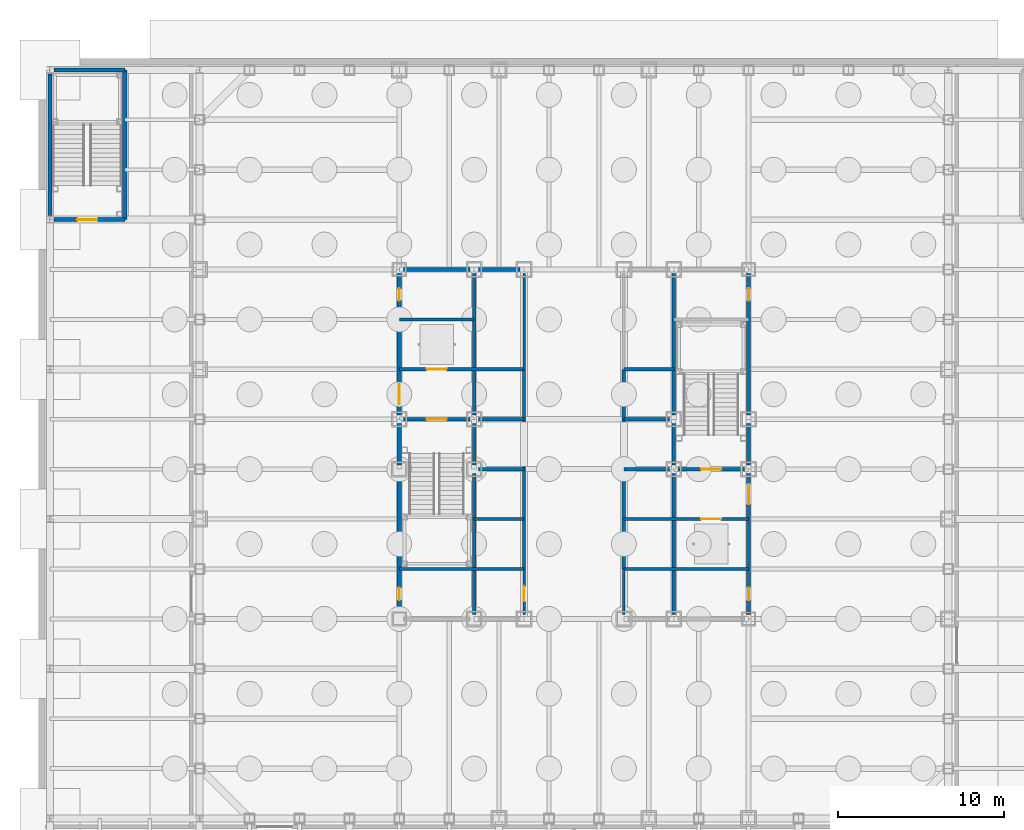
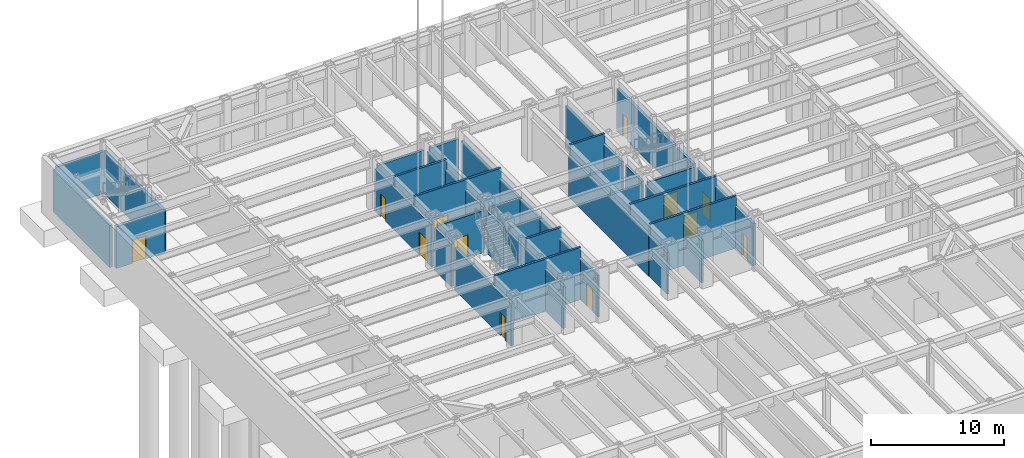
# One storey, part 7 of 18: 36 walls, 12 doors, 12 openings.
"""IFC4 building model written with IfcOpenShell, lengths in metres."""

from ifc_helpers import new_model, si_unit, direction, frame, frame_2d, origin, place, context, subcontext, project, spatial, rectangle, extrude, material, layer, layer_set, type_object, element, fill, save


model = new_model("IFC4")

# Units and contexts
model_context = context("Model", 3, precision=1e-05, world=origin(), true_north=direction((0.0, 1.0)))
body_context = subcontext(model_context, "Body", "Model", "MODEL_VIEW")
ifc_project = project(units=[si_unit("LENGTHUNIT", "METRE"), si_unit("AREAUNIT", "SQUARE_METRE"), si_unit("VOLUMEUNIT", "CUBIC_METRE"), si_unit("PLANEANGLEUNIT", "RADIAN"), si_unit("MASSUNIT", "GRAM", prefix="KILO")], contexts=[model_context])

# Site, building, storey
site_placement = place(None, origin())
site = spatial("IfcSite", under=ifc_project, at=site_placement, CompositionType="ELEMENT")
building_placement = place(site_placement, origin())
building = spatial("IfcBuilding", under=site, at=building_placement, Name="Chuquiago Exchange Tower", CompositionType="ELEMENT")
storey_placement = place(building_placement, frame((0.0, 0.0, -5.0)))
storey = spatial("IfcBuildingStorey", under=building, at=storey_placement, Name="B1", CompositionType="ELEMENT", Elevation=-5.0)

# Wall, opening, door
ifc_material_1 = material(Name="Concrete masonry, fully grouted", Category="masonry")
ifc_layer_1 = layer(ifc_material_1, 0.25)
ifc_layer_set_1 = layer_set([ifc_layer_1], Name="W1 core wall 250")
wall_type_1 = type_object("IfcWallType", Name="W1 core wall 250", PredefinedType="SOLIDWALL", material=ifc_layer_set_1)
wall_1_placement = place(storey_placement, frame((12.0, 12.25, 0.0), z_axis=(0.0, 0.0, 1.0), x_axis=(0.0, 1.0, 0.0)))
wall_1 = element("IfcWall", 1, at=wall_1_placement, inside=storey, type_object=wall_type_1, Name="CW-B1-00-0", PredefinedType="SOLIDWALL", context=body_context, shape_type="SweptSolid", body=[
    extrude(rectangle(XDim=8.5, YDim=0.25, at=frame_2d((4.25, 0.0))), origin(), (0.0, 0.0, 1.0), 3.872802734375),
])
opening_1_placement = place(wall_1_placement, frame((0.875, 0.0, 0.0)))
opening_1 = element("IfcOpeningElement", 2, at=opening_1_placement, cuts=wall_1, Name="Opening B1-007", PredefinedType="OPENING", context=body_context, shape_type="SweptSolid", body=[
    extrude(rectangle(XDim=0.75, YDim=2.10009765625, at=frame_2d((0.375, 1.050048828125))), frame((0.0, 0.135009765625, 0.0), z_axis=(0.0, -1.0, 0.0), x_axis=(1.0, 0.0, 0.0)), (0.0, 0.0, 1.0), 0.27001953125),
])
ifc_material_2 = material(Name="Steel door, painted", Category="steel")
door_type_1 = type_object("IfcDoorType", Name="D6 riser access door 750x2100", OperationType="SINGLE_SWING_LEFT", PredefinedType="DOOR", material=ifc_material_2)
door_1_placement = place(opening_1_placement, origin())
door_1 = element("IfcDoor", 3, at=door_1_placement, inside=storey, type_object=door_type_1, Name="Riser RW1 door", OperationType="SINGLE_SWING_LEFT", OverallHeight=2.10009765625, OverallWidth=0.75, PredefinedType="DOOR", context=body_context, shape_type="SweptSolid", body=[
    extrude(rectangle(XDim=0.75, YDim=2.10009765625, at=frame_2d((0.375, 1.050048828125))), frame((0.0, 0.02490234375, 0.0), z_axis=(0.0, -1.0, 0.0), x_axis=(1.0, 0.0, 0.0)), (0.0, 0.0, 1.0), 0.050048828125),
])
fill(opening_1, door_1)

# Wall
wall_2_placement = place(storey_placement, frame((12.0, 21.25, 0.0), z_axis=(0.0, 0.0, 1.0), x_axis=(0.0, 1.0, 0.0)))
element("IfcWall", 4, at=wall_2_placement, inside=storey, type_object=wall_type_1, Name="CW-B1-00-1", PredefinedType="SOLIDWALL", context=body_context, shape_type="SweptSolid", body=[
    extrude(rectangle(XDim=2.5, YDim=0.25, at=frame_2d((1.25, 0.0))), origin(), (0.0, 0.0, 1.0), 3.872802734375),
])

# Wall, openings, doors
wall_3_placement = place(storey_placement, frame((12.0, 24.25, 0.0), z_axis=(0.0, 0.0, 1.0), x_axis=(0.0, 1.0, 0.0)))
wall_3 = element("IfcWall", 5, at=wall_3_placement, inside=storey, type_object=wall_type_1, Name="CW-B1-00-2", PredefinedType="SOLIDWALL", context=body_context, shape_type="SweptSolid", body=[
    extrude(rectangle(XDim=8.5, YDim=0.25, at=frame_2d((4.25, 0.0))), origin(), (0.0, 0.0, 1.0), 3.872802734375),
])
opening_2_placement = place(wall_3_placement, frame((0.64990234375, 0.0, 0.0)))
opening_2 = element("IfcOpeningElement", 6, at=opening_2_placement, cuts=wall_3, Name="Opening B1-002", PredefinedType="OPENING", context=body_context, shape_type="SweptSolid", body=[
    extrude(rectangle(XDim=1.199951171875, YDim=2.10009765625, at=frame_2d((0.60009765625, 1.050048828125))), frame((0.0, 0.135009765625, 0.0), z_axis=(0.0, -1.0, 0.0), x_axis=(1.0, 0.0, 0.0)), (0.0, 0.0, 1.0), 0.27001953125),
])
opening_3_placement = place(wall_3_placement, frame((6.875, 0.0, 0.0)))
opening_3 = element("IfcOpeningElement", 7, at=opening_3_placement, cuts=wall_3, Name="Opening B1-008", PredefinedType="OPENING", context=body_context, shape_type="SweptSolid", body=[
    extrude(rectangle(XDim=0.75, YDim=2.10009765625, at=frame_2d((0.375, 1.050048828125))), frame((0.0, 0.135009765625, 0.0), z_axis=(0.0, -1.0, 0.0), x_axis=(1.0, 0.0, 0.0)), (0.0, 0.0, 1.0), 0.27001953125),
])
ifc_material_3 = material(Name="Steel door, painted", Category="steel")
door_type_2 = type_object("IfcDoorType", Name="D5 firefighting lobby door 1200x2100", OperationType="SINGLE_SWING_LEFT", PredefinedType="DOOR", material=ifc_material_3)
door_2_placement = place(opening_2_placement, frame((1.199951171875, 0.0, 0.0), z_axis=(0.0, 0.0, 1.0), x_axis=(-1.0, 0.0, 0.0)))
door_2 = element("IfcDoor", 8, at=door_2_placement, inside=storey, type_object=door_type_2, Name="Firefighting lobby 1 door", OperationType="SINGLE_SWING_RIGHT", OverallHeight=2.10009765625, OverallWidth=1.199951171875, PredefinedType="DOOR", context=body_context, shape_type="SweptSolid", body=[
    extrude(rectangle(XDim=1.199951171875, YDim=2.10009765625, at=frame_2d((0.60009765625, 1.050048828125))), frame((0.0, 0.02490234375, 0.0), z_axis=(0.0, -1.0, 0.0), x_axis=(1.0, 0.0, 0.0)), (0.0, 0.0, 1.0), 0.050048828125),
])
fill(opening_2, door_2)
door_3_placement = place(opening_3_placement, origin())
door_3 = element("IfcDoor", 9, at=door_3_placement, inside=storey, type_object=door_type_1, Name="Riser RW2 door", OperationType="SINGLE_SWING_RIGHT", OverallHeight=2.10009765625, OverallWidth=0.75, PredefinedType="DOOR", context=body_context, shape_type="SweptSolid", body=[
    extrude(rectangle(XDim=0.75, YDim=2.10009765625, at=frame_2d((0.375, 1.050048828125))), frame((0.0, 0.02490234375, 0.0), z_axis=(0.0, -1.0, 0.0), x_axis=(1.0, 0.0, 0.0)), (0.0, 0.0, 1.0), 0.050048828125),
])
fill(opening_3, door_3)

# Walls
wall_4_placement = place(storey_placement, frame((12.25, 33.0, 0.0), z_axis=(0.0, 0.0, 1.0), x_axis=(1.0, 0.0, 0.0)))
element("IfcWall", 10, at=wall_4_placement, inside=storey, type_object=wall_type_1, Name="CW-B1-11-0", PredefinedType="SOLIDWALL", context=body_context, shape_type="SweptSolid", body=[
    extrude(rectangle(XDim=4.0, YDim=0.25, at=frame_2d((2.0, 0.0))), origin(), (0.0, 0.0, 1.0), 3.94140625),
])
wall_5_placement = place(storey_placement, frame((16.75, 33.0, 0.0), z_axis=(0.0, 0.0, 1.0), x_axis=(1.0, 0.0, 0.0)))
element("IfcWall", 11, at=wall_5_placement, inside=storey, type_object=wall_type_1, Name="CW-B1-11-1", PredefinedType="SOLIDWALL", context=body_context, shape_type="SweptSolid", body=[
    extrude(rectangle(XDim=2.5, YDim=0.25, at=frame_2d((1.25, 0.0))), origin(), (0.0, 0.0, 1.0), 3.94140625),
])

# Wall, openings, doors
wall_6_placement = place(storey_placement, frame((33.0, 12.25, 0.0), z_axis=(0.0, 0.0, 1.0), x_axis=(0.0, 1.0, 0.0)))
wall_6 = element("IfcWall", 12, at=wall_6_placement, inside=storey, type_object=wall_type_1, Name="CW-B1-25-0", PredefinedType="SOLIDWALL", context=body_context, shape_type="SweptSolid", body=[
    extrude(rectangle(XDim=8.5, YDim=0.25, at=frame_2d((4.25, 0.0))), origin(), (0.0, 0.0, 1.0), 3.872802734375),
])
opening_4_placement = place(wall_6_placement, frame((6.64990234375, 0.0, 0.0)))
opening_4 = element("IfcOpeningElement", 13, at=opening_4_placement, cuts=wall_6, Name="Opening B1-004", PredefinedType="OPENING", context=body_context, shape_type="SweptSolid", body=[
    extrude(rectangle(XDim=1.199951171875, YDim=2.10009765625, at=frame_2d((0.60009765625, 1.050048828125))), frame((0.0, 0.135009765625, 0.0), z_axis=(0.0, -1.0, 0.0), x_axis=(1.0, 0.0, 0.0)), (0.0, 0.0, 1.0), 0.27001953125),
])
opening_5_placement = place(wall_6_placement, frame((0.875, 0.0, 0.0)))
opening_5 = element("IfcOpeningElement", 14, at=opening_5_placement, cuts=wall_6, Name="Opening B1-009", PredefinedType="OPENING", context=body_context, shape_type="SweptSolid", body=[
    extrude(rectangle(XDim=0.75, YDim=2.10009765625, at=frame_2d((0.375, 1.050048828125))), frame((0.0, 0.135009765625, 0.0), z_axis=(0.0, -1.0, 0.0), x_axis=(1.0, 0.0, 0.0)), (0.0, 0.0, 1.0), 0.27001953125),
])
door_4_placement = place(opening_4_placement, origin())
door_4 = element("IfcDoor", 15, at=door_4_placement, inside=storey, type_object=door_type_2, Name="Firefighting lobby 2 door", OperationType="SINGLE_SWING_RIGHT", OverallHeight=2.10009765625, OverallWidth=1.199951171875, PredefinedType="DOOR", context=body_context, shape_type="SweptSolid", body=[
    extrude(rectangle(XDim=1.199951171875, YDim=2.10009765625, at=frame_2d((0.60009765625, 1.050048828125))), frame((0.0, 0.02490234375, 0.0), z_axis=(0.0, -1.0, 0.0), x_axis=(1.0, 0.0, 0.0)), (0.0, 0.0, 1.0), 0.050048828125),
])
fill(opening_4, door_4)
door_5_placement = place(opening_5_placement, frame((0.75, 0.0, 0.0), z_axis=(0.0, 0.0, 1.0), x_axis=(-1.0, 0.0, 0.0)))
door_5 = element("IfcDoor", 16, at=door_5_placement, inside=storey, type_object=door_type_1, Name="Riser RE1 door", OperationType="SINGLE_SWING_RIGHT", OverallHeight=2.10009765625, OverallWidth=0.75, PredefinedType="DOOR", context=body_context, shape_type="SweptSolid", body=[
    extrude(rectangle(XDim=0.75, YDim=2.10009765625, at=frame_2d((0.375, 1.050048828125))), frame((0.0, 0.02490234375, 0.0), z_axis=(0.0, -1.0, 0.0), x_axis=(1.0, 0.0, 0.0)), (0.0, 0.0, 1.0), 0.050048828125),
])
fill(opening_5, door_5)

# Wall
wall_7_placement = place(storey_placement, frame((33.0, 21.25, 0.0), z_axis=(0.0, 0.0, 1.0), x_axis=(0.0, 1.0, 0.0)))
element("IfcWall", 17, at=wall_7_placement, inside=storey, type_object=wall_type_1, Name="CW-B1-25-1", PredefinedType="SOLIDWALL", context=body_context, shape_type="SweptSolid", body=[
    extrude(rectangle(XDim=2.5, YDim=0.25, at=frame_2d((1.25, 0.0))), origin(), (0.0, 0.0, 1.0), 3.872802734375),
])

# Wall, opening, door
wall_8_placement = place(storey_placement, frame((33.0, 24.25, 0.0), z_axis=(0.0, 0.0, 1.0), x_axis=(0.0, 1.0, 0.0)))
wall_8 = element("IfcWall", 18, at=wall_8_placement, inside=storey, type_object=wall_type_1, Name="CW-B1-25-2", PredefinedType="SOLIDWALL", context=body_context, shape_type="SweptSolid", body=[
    extrude(rectangle(XDim=8.5, YDim=0.25, at=frame_2d((4.25, 0.0))), origin(), (0.0, 0.0, 1.0), 3.872802734375),
])
opening_6_placement = place(wall_8_placement, frame((6.875, 0.0, 0.0)))
opening_6 = element("IfcOpeningElement", 19, at=opening_6_placement, cuts=wall_8, Name="Opening B1-010", PredefinedType="OPENING", context=body_context, shape_type="SweptSolid", body=[
    extrude(rectangle(XDim=0.75, YDim=2.10009765625, at=frame_2d((0.375, 1.050048828125))), frame((0.0, 0.135009765625, 0.0), z_axis=(0.0, -1.0, 0.0), x_axis=(1.0, 0.0, 0.0)), (0.0, 0.0, 1.0), 0.27001953125),
])
door_6_placement = place(opening_6_placement, frame((0.75, 0.0, 0.0), z_axis=(0.0, 0.0, 1.0), x_axis=(-1.0, 0.0, 0.0)))
door_6 = element("IfcDoor", 20, at=door_6_placement, inside=storey, type_object=door_type_1, Name="Riser RE2 door", OperationType="SINGLE_SWING_LEFT", OverallHeight=2.10009765625, OverallWidth=0.75, PredefinedType="DOOR", context=body_context, shape_type="SweptSolid", body=[
    extrude(rectangle(XDim=0.75, YDim=2.10009765625, at=frame_2d((0.375, 1.050048828125))), frame((0.0, 0.02490234375, 0.0), z_axis=(0.0, -1.0, 0.0), x_axis=(1.0, 0.0, 0.0)), (0.0, 0.0, 1.0), 0.050048828125),
])
fill(opening_6, door_6)

ifc_material_4 = material(Name="Concrete masonry, fully grouted", Category="masonry")
ifc_layer_2 = layer(ifc_material_4, 0.25)
ifc_layer_set_2 = layer_set([ifc_layer_2], Name="W10 podium stair wall 250")
wall_type_2 = type_object("IfcWallType", Name="W10 podium stair wall 250", PredefinedType="SOLIDWALL", material=ifc_layer_set_2)
wall_9_placement = place(storey_placement, frame((-8.75, 36.0, 0.0), z_axis=(0.0, 0.0, 1.0), x_axis=(1.0, 0.0, 0.0)))
wall_9 = element("IfcWall", 21, at=wall_9_placement, inside=storey, type_object=wall_type_2, Name="PSW-B1-PS3-00", PredefinedType="SOLIDWALL", context=body_context, shape_type="SweptSolid", body=[
    extrude(rectangle(XDim=4.25, YDim=0.25, at=frame_2d((2.125, 0.0))), origin(), (0.0, 0.0, 1.0), 3.8525390625),
])
opening_7_placement = place(wall_9_placement, frame((1.39990234375, 0.0, 0.0)))
opening_7 = element("IfcOpeningElement", 22, at=opening_7_placement, cuts=wall_9, Name="Opening B1-018", PredefinedType="OPENING", context=body_context, shape_type="SweptSolid", body=[
    extrude(rectangle(XDim=1.199951171875, YDim=2.10009765625, at=frame_2d((0.60009765625, 1.050048828125))), frame((0.0, 0.135009765625, 0.0), z_axis=(0.0, -1.0, 0.0), x_axis=(1.0, 0.0, 0.0)), (0.0, 0.0, 1.0), 0.27001953125),
])
ifc_material_5 = material(Name="Steel door, painted", Category="steel")
door_type_3 = type_object("IfcDoorType", Name="D4 stair door 1200x2100", OperationType="SINGLE_SWING_LEFT", PredefinedType="DOOR", material=ifc_material_5)
door_7_placement = place(opening_7_placement, origin())
door_7 = element("IfcDoor", 23, at=door_7_placement, inside=storey, type_object=door_type_3, Name="Stair PS3 door", OperationType="SINGLE_SWING_RIGHT", OverallHeight=2.10009765625, OverallWidth=1.199951171875, PredefinedType="DOOR", context=body_context, shape_type="SweptSolid", body=[
    extrude(rectangle(XDim=1.199951171875, YDim=2.10009765625, at=frame_2d((0.60009765625, 1.050048828125))), frame((0.0, 0.02490234375, 0.0), z_axis=(0.0, -1.0, 0.0), x_axis=(1.0, 0.0, 0.0)), (0.0, 0.0, 1.0), 0.050048828125),
])
fill(opening_7, door_7)

# Walls
wall_10_placement = place(storey_placement, frame((-4.5, 36.0, 0.0), z_axis=(0.0, 0.0, 1.0), x_axis=(0.0, 1.0, 0.0)))
element("IfcWall", 24, at=wall_10_placement, inside=storey, type_object=wall_type_2, Name="PSW-B1-PS3-10", PredefinedType="SOLIDWALL", context=body_context, shape_type="SweptSolid", body=[
    extrude(rectangle(XDim=9.0, YDim=0.25, at=frame_2d((4.5, 0.0))), origin(), (0.0, 0.0, 1.0), 3.8525390625),
])
wall_11_placement = place(storey_placement, frame((-8.75, 45.0, 0.0), z_axis=(0.0, 0.0, 1.0), x_axis=(1.0, 0.0, 0.0)))
element("IfcWall", 25, at=wall_11_placement, inside=storey, type_object=wall_type_2, Name="PSW-B1-PS3-20", PredefinedType="SOLIDWALL", context=body_context, shape_type="SweptSolid", body=[
    extrude(rectangle(XDim=4.25, YDim=0.25, at=frame_2d((2.125, 0.0))), origin(), (0.0, 0.0, 1.0), 3.8525390625),
])
wall_12_placement = place(storey_placement, frame((-9.0, 36.25, 0.0), z_axis=(0.0, 0.0, 1.0), x_axis=(0.0, 1.0, 0.0)))
element("IfcWall", 26, at=wall_12_placement, inside=storey, type_object=wall_type_2, Name="PSW-B1-PS3-30", PredefinedType="SOLIDWALL", context=body_context, shape_type="SweptSolid", body=[
    extrude(rectangle(XDim=8.5, YDim=0.25, at=frame_2d((4.25, 0.0))), origin(), (0.0, 0.0, 1.0), 3.8525390625),
])
ifc_material_6 = material(Name="Concrete masonry, fully grouted", Category="masonry")
ifc_layer_3 = layer(ifc_material_6, 0.199951171875)
ifc_layer_set_3 = layer_set([ifc_layer_3], Name="W2 shaft wall 200")
wall_type_3 = type_object("IfcWallType", Name="W2 shaft wall 200", PredefinedType="SOLIDWALL", material=ifc_layer_set_3)
for number, where, z_axis, x_axis, name in (
    (27, (12.0, 15.0, 0.0), (0.0, 0.0, 1.0), (1.0, 0.0, 0.0), "CW-B1-03-0"),
    (28, (25.5, 15.0, 0.0), (0.0, 0.0, 1.0), (1.0, 0.0, 0.0), "CW-B1-04-0"),
):
    element("IfcWall", number, at=place(storey_placement, frame(where, z_axis=z_axis, x_axis=x_axis)), inside=storey, type_object=wall_type_3, Name=name, PredefinedType="SOLIDWALL", context=body_context, shape_type="SweptSolid", body=[
        extrude(rectangle(XDim=7.5, YDim=0.199951171875, at=frame_2d((3.75, 0.0))), origin(), (0.0, 0.0, 1.0), 4.800048828125),
    ])

# Wall, opening, door
wall_13_placement = place(storey_placement, frame((12.25, 24.0, 0.0), z_axis=(0.0, 0.0, 1.0), x_axis=(1.0, 0.0, 0.0)))
wall_13 = element("IfcWall", 29, at=wall_13_placement, inside=storey, type_object=wall_type_3, Name="CW-B1-05-0", PredefinedType="SOLIDWALL", context=body_context, shape_type="SweptSolid", body=[
    extrude(rectangle(XDim=4.0, YDim=0.199951171875, at=frame_2d((2.0, 0.0))), origin(), (0.0, 0.0, 1.0), 3.85009765625),
])
opening_8_placement = place(wall_13_placement, frame((1.39990234375, 0.0, 0.0)))
opening_8 = element("IfcOpeningElement", 30, at=opening_8_placement, cuts=wall_13, Name="Opening B1-001", PredefinedType="OPENING", context=body_context, shape_type="SweptSolid", body=[
    extrude(rectangle(XDim=1.199951171875, YDim=2.10009765625, at=frame_2d((0.60009765625, 1.050048828125))), frame((0.0, 0.10986328125, 0.0), z_axis=(0.0, -1.0, 0.0), x_axis=(1.0, 0.0, 0.0)), (0.0, 0.0, 1.0), 0.219970703125),
])
door_8_placement = place(opening_8_placement, frame((1.199951171875, 0.0, 0.0), z_axis=(0.0, 0.0, 1.0), x_axis=(-1.0, 0.0, 0.0)))
door_8 = element("IfcDoor", 31, at=door_8_placement, inside=storey, type_object=door_type_3, Name="Stair ST1 door", OperationType="SINGLE_SWING_RIGHT", OverallHeight=2.10009765625, OverallWidth=1.199951171875, PredefinedType="DOOR", context=body_context, shape_type="SweptSolid", body=[
    extrude(rectangle(XDim=1.199951171875, YDim=2.10009765625, at=frame_2d((0.60009765625, 1.050048828125))), frame((0.0, 0.02490234375, 0.0), z_axis=(0.0, -1.0, 0.0), x_axis=(1.0, 0.0, 0.0)), (0.0, 0.0, 1.0), 0.050048828125),
])
fill(opening_8, door_8)

# Walls
for number, where, z_axis, x_axis, name in (
    (32, (16.75, 24.0, 0.0), (0.0, 0.0, 1.0), (1.0, 0.0, 0.0), "CW-B1-05-1"),
    (33, (25.5, 24.0, 0.0), (0.0, 0.0, 1.0), (1.0, 0.0, 0.0), "CW-B1-06-0"),
):
    element("IfcWall", number, at=place(storey_placement, frame(where, z_axis=z_axis, x_axis=x_axis)), inside=storey, type_object=wall_type_3, Name=name, PredefinedType="SOLIDWALL", context=body_context, shape_type="SweptSolid", body=[
        extrude(rectangle(XDim=2.75, YDim=0.199951171875, at=frame_2d((1.375, 0.0))), origin(), (0.0, 0.0, 1.0), 3.85009765625),
    ])

# Wall, opening, door
wall_14_placement = place(storey_placement, frame((12.0, 27.0, 0.0), z_axis=(0.0, 0.0, 1.0), x_axis=(1.0, 0.0, 0.0)))
wall_14 = element("IfcWall", 34, at=wall_14_placement, inside=storey, type_object=wall_type_3, Name="CW-B1-07-0", PredefinedType="SOLIDWALL", context=body_context, shape_type="SweptSolid", body=[
    extrude(rectangle(XDim=7.5, YDim=0.199951171875, at=frame_2d((3.75, 0.0))), origin(), (0.0, 0.0, 1.0), 4.800048828125),
])
opening_9_placement = place(wall_14_placement, frame((1.64990234375, 0.0, 0.0)))
opening_9 = element("IfcOpeningElement", 35, at=opening_9_placement, cuts=wall_14, Name="Opening B1-005", PredefinedType="OPENING", context=body_context, shape_type="SweptSolid", body=[
    extrude(rectangle(XDim=1.199951171875, YDim=2.10009765625, at=frame_2d((0.60009765625, 1.050048828125))), frame((0.0, 0.10986328125, 0.0), z_axis=(0.0, -1.0, 0.0), x_axis=(1.0, 0.0, 0.0)), (0.0, 0.0, 1.0), 0.219970703125),
])
ifc_material_7 = material(Name="Stainless steel lift landing door", Category="steel")
door_type_4 = type_object("IfcDoorType", Name="LD2 firefighting lift landing door 1200x2100", OperationType="DOUBLE_DOOR_SLIDING", PredefinedType="DOOR", material=ifc_material_7)
door_9_placement = place(opening_9_placement, origin())
door_9 = element("IfcDoor", 36, at=door_9_placement, inside=storey, type_object=door_type_4, Name="Firefighting lift FL1 landing door", OperationType="DOUBLE_DOOR_SLIDING", OverallHeight=2.10009765625, OverallWidth=1.199951171875, PredefinedType="DOOR", context=body_context, shape_type="SweptSolid", body=[
    extrude(rectangle(XDim=1.199951171875, YDim=2.10009765625, at=frame_2d((0.60009765625, 1.050048828125))), frame((0.0, 0.02490234375, 0.0), z_axis=(0.0, -1.0, 0.0), x_axis=(1.0, 0.0, 0.0)), (0.0, 0.0, 1.0), 0.050048828125),
])
fill(opening_9, door_9)

# Walls
wall_15_placement = place(storey_placement, frame((25.5, 27.0, 0.0), z_axis=(0.0, 0.0, 1.0), x_axis=(1.0, 0.0, 0.0)))
element("IfcWall", 37, at=wall_15_placement, inside=storey, type_object=wall_type_3, Name="CW-B1-08-0", PredefinedType="SOLIDWALL", context=body_context, shape_type="SweptSolid", body=[
    extrude(rectangle(XDim=3.0, YDim=0.199951171875, at=frame_2d((1.5, 0.0))), origin(), (0.0, 0.0, 1.0), 4.800048828125),
])
wall_16_placement = place(storey_placement, frame((12.0, 30.0, 0.0), z_axis=(0.0, 0.0, 1.0), x_axis=(1.0, 0.0, 0.0)))
element("IfcWall", 38, at=wall_16_placement, inside=storey, type_object=wall_type_3, Name="CW-B1-09-0", PredefinedType="SOLIDWALL", context=body_context, shape_type="SweptSolid", body=[
    extrude(rectangle(XDim=4.5, YDim=0.199951171875, at=frame_2d((2.25, 0.0))), origin(), (0.0, 0.0, 1.0), 4.800048828125),
])
wall_17_placement = place(storey_placement, frame((16.5, 12.25, 0.0), z_axis=(0.0, 0.0, 1.0), x_axis=(0.0, 1.0, 0.0)))
element("IfcWall", 39, at=wall_17_placement, inside=storey, type_object=wall_type_3, Name="CW-B1-13-0", PredefinedType="SOLIDWALL", context=body_context, shape_type="SweptSolid", body=[
    extrude(rectangle(XDim=8.5, YDim=0.199951171875, at=frame_2d((4.25, 0.0))), origin(), (0.0, 0.0, 1.0), 3.872802734375),
])
wall_18_placement = place(storey_placement, frame((16.5, 21.25, 0.0), z_axis=(0.0, 0.0, 1.0), x_axis=(0.0, 1.0, 0.0)))
element("IfcWall", 40, at=wall_18_placement, inside=storey, type_object=wall_type_3, Name="CW-B1-13-1", PredefinedType="SOLIDWALL", context=body_context, shape_type="SweptSolid", body=[
    extrude(rectangle(XDim=2.5, YDim=0.199951171875, at=frame_2d((1.25, 0.0))), origin(), (0.0, 0.0, 1.0), 3.872802734375),
])
wall_19_placement = place(storey_placement, frame((16.5, 24.25, 0.0), z_axis=(0.0, 0.0, 1.0), x_axis=(0.0, 1.0, 0.0)))
element("IfcWall", 41, at=wall_19_placement, inside=storey, type_object=wall_type_3, Name="CW-B1-13-2", PredefinedType="SOLIDWALL", context=body_context, shape_type="SweptSolid", body=[
    extrude(rectangle(XDim=8.5, YDim=0.199951171875, at=frame_2d((4.25, 0.0))), origin(), (0.0, 0.0, 1.0), 3.872802734375),
])
wall_20_placement = place(storey_placement, frame((16.5, 18.0, 0.0), z_axis=(0.0, 0.0, 1.0), x_axis=(1.0, 0.0, 0.0)))
element("IfcWall", 42, at=wall_20_placement, inside=storey, type_object=wall_type_3, Name="CW-B1-14-0", PredefinedType="SOLIDWALL", context=body_context, shape_type="SweptSolid", body=[
    extrude(rectangle(XDim=3.0, YDim=0.199951171875, at=frame_2d((1.5, 0.0))), origin(), (0.0, 0.0, 1.0), 4.800048828125),
])

# Wall, opening, door
wall_21_placement = place(storey_placement, frame((25.5, 18.0, 0.0), z_axis=(0.0, 0.0, 1.0), x_axis=(1.0, 0.0, 0.0)))
wall_21 = element("IfcWall", 43, at=wall_21_placement, inside=storey, type_object=wall_type_3, Name="CW-B1-15-0", PredefinedType="SOLIDWALL", context=body_context, shape_type="SweptSolid", body=[
    extrude(rectangle(XDim=7.5, YDim=0.199951171875, at=frame_2d((3.75, 0.0))), origin(), (0.0, 0.0, 1.0), 4.800048828125),
])
opening_10_placement = place(wall_21_placement, frame((4.64990234375, 0.0, 0.0)))
opening_10 = element("IfcOpeningElement", 44, at=opening_10_placement, cuts=wall_21, Name="Opening B1-006", PredefinedType="OPENING", context=body_context, shape_type="SweptSolid", body=[
    extrude(rectangle(XDim=1.199951171875, YDim=2.10009765625, at=frame_2d((0.60009765625, 1.050048828125))), frame((0.0, 0.10986328125, 0.0), z_axis=(0.0, -1.0, 0.0), x_axis=(1.0, 0.0, 0.0)), (0.0, 0.0, 1.0), 0.219970703125),
])
door_10_placement = place(opening_10_placement, origin())
door_10 = element("IfcDoor", 45, at=door_10_placement, inside=storey, type_object=door_type_4, Name="Firefighting lift FL2 landing door", OperationType="DOUBLE_DOOR_SLIDING", OverallHeight=2.10009765625, OverallWidth=1.199951171875, PredefinedType="DOOR", context=body_context, shape_type="SweptSolid", body=[
    extrude(rectangle(XDim=1.199951171875, YDim=2.10009765625, at=frame_2d((0.60009765625, 1.050048828125))), frame((0.0, 0.02490234375, 0.0), z_axis=(0.0, -1.0, 0.0), x_axis=(1.0, 0.0, 0.0)), (0.0, 0.0, 1.0), 0.050048828125),
])
fill(opening_10, door_10)

# Walls
for number, where, z_axis, x_axis, name in (
    (46, (16.75, 21.0, 0.0), (0.0, 0.0, 1.0), (1.0, 0.0, 0.0), "CW-B1-16-0"),
    (47, (25.5, 21.0, 0.0), (0.0, 0.0, 1.0), (1.0, 0.0, 0.0), "CW-B1-17-0"),
):
    element("IfcWall", number, at=place(storey_placement, frame(where, z_axis=z_axis, x_axis=x_axis)), inside=storey, type_object=wall_type_3, Name=name, PredefinedType="SOLIDWALL", context=body_context, shape_type="SweptSolid", body=[
        extrude(rectangle(XDim=2.75, YDim=0.199951171875, at=frame_2d((1.375, 0.0))), origin(), (0.0, 0.0, 1.0), 3.85009765625),
    ])

# Wall, opening, door
wall_22_placement = place(storey_placement, frame((28.75, 21.0, 0.0), z_axis=(0.0, 0.0, 1.0), x_axis=(1.0, 0.0, 0.0)))
wall_22 = element("IfcWall", 48, at=wall_22_placement, inside=storey, type_object=wall_type_3, Name="CW-B1-17-1", PredefinedType="SOLIDWALL", context=body_context, shape_type="SweptSolid", body=[
    extrude(rectangle(XDim=4.0, YDim=0.199951171875, at=frame_2d((2.0, 0.0))), origin(), (0.0, 0.0, 1.0), 3.85009765625),
])
opening_11_placement = place(wall_22_placement, frame((1.39990234375, 0.0, 0.0)))
opening_11 = element("IfcOpeningElement", 49, at=opening_11_placement, cuts=wall_22, Name="Opening B1-003", PredefinedType="OPENING", context=body_context, shape_type="SweptSolid", body=[
    extrude(rectangle(XDim=1.199951171875, YDim=2.10009765625, at=frame_2d((0.60009765625, 1.050048828125))), frame((0.0, 0.10986328125, 0.0), z_axis=(0.0, -1.0, 0.0), x_axis=(1.0, 0.0, 0.0)), (0.0, 0.0, 1.0), 0.219970703125),
])
door_11_placement = place(opening_11_placement, origin())
door_11 = element("IfcDoor", 50, at=door_11_placement, inside=storey, type_object=door_type_3, Name="Stair ST2 door", OperationType="SINGLE_SWING_LEFT", OverallHeight=2.10009765625, OverallWidth=1.199951171875, PredefinedType="DOOR", context=body_context, shape_type="SweptSolid", body=[
    extrude(rectangle(XDim=1.199951171875, YDim=2.10009765625, at=frame_2d((0.60009765625, 1.050048828125))), frame((0.0, 0.02490234375, 0.0), z_axis=(0.0, -1.0, 0.0), x_axis=(1.0, 0.0, 0.0)), (0.0, 0.0, 1.0), 0.050048828125),
])
fill(opening_11, door_11)

# Walls
for number, where, z_axis, x_axis, name in (
    (51, (19.5, 15.0, 0.0), (0.0, 0.0, 1.0), (0.0, 1.0, 0.0), "CW-B1-19-0"),
    (52, (25.5, 15.0, 0.0), (0.0, 0.0, 1.0), (0.0, 1.0, 0.0), "CW-B1-22-0"),
):
    element("IfcWall", number, at=place(storey_placement, frame(where, z_axis=z_axis, x_axis=x_axis)), inside=storey, type_object=wall_type_3, Name=name, PredefinedType="SOLIDWALL", context=body_context, shape_type="SweptSolid", body=[
        extrude(rectangle(XDim=12.0, YDim=0.199951171875, at=frame_2d((6.0, 0.0))), origin(), (0.0, 0.0, 1.0), 3.82470703125),
    ])
wall_23_placement = place(storey_placement, frame((28.5, 12.25, 0.0), z_axis=(0.0, 0.0, 1.0), x_axis=(0.0, 1.0, 0.0)))
element("IfcWall", 53, at=wall_23_placement, inside=storey, type_object=wall_type_3, Name="CW-B1-24-0", PredefinedType="SOLIDWALL", context=body_context, shape_type="SweptSolid", body=[
    extrude(rectangle(XDim=8.5, YDim=0.199951171875, at=frame_2d((4.25, 0.0))), origin(), (0.0, 0.0, 1.0), 3.872802734375),
])
wall_24_placement = place(storey_placement, frame((28.5, 21.25, 0.0), z_axis=(0.0, 0.0, 1.0), x_axis=(0.0, 1.0, 0.0)))
element("IfcWall", 54, at=wall_24_placement, inside=storey, type_object=wall_type_3, Name="CW-B1-24-1", PredefinedType="SOLIDWALL", context=body_context, shape_type="SweptSolid", body=[
    extrude(rectangle(XDim=2.5, YDim=0.199951171875, at=frame_2d((1.25, 0.0))), origin(), (0.0, 0.0, 1.0), 3.872802734375),
])
wall_25_placement = place(storey_placement, frame((28.5, 24.25, 0.0), z_axis=(0.0, 0.0, 1.0), x_axis=(0.0, 1.0, 0.0)))
element("IfcWall", 55, at=wall_25_placement, inside=storey, type_object=wall_type_3, Name="CW-B1-24-2", PredefinedType="SOLIDWALL", context=body_context, shape_type="SweptSolid", body=[
    extrude(rectangle(XDim=8.5, YDim=0.199951171875, at=frame_2d((4.25, 0.0))), origin(), (0.0, 0.0, 1.0), 3.872802734375),
])

# Wall, opening, door
ifc_material_8 = material(Name="Gypsum board on steel studs", Category="steel")
ifc_layer_4 = layer(ifc_material_8, 0.14990234375)
ifc_layer_set_4 = layer_set([ifc_layer_4], Name="W3 core partition 150")
wall_type_4 = type_object("IfcWallType", Name="W3 core partition 150", PredefinedType="PARTITIONING", material=ifc_layer_set_4)
wall_26_placement = place(storey_placement, frame((19.5, 12.25, 0.0), z_axis=(0.0, 0.0, 1.0), x_axis=(0.0, 1.0, 0.0)))
wall_26 = element("IfcWall", 56, at=wall_26_placement, inside=storey, type_object=wall_type_4, Name="CW-B1-18-0", PredefinedType="PARTITIONING", context=body_context, shape_type="SweptSolid", body=[
    extrude(rectangle(XDim=2.75, YDim=0.14990234375, at=frame_2d((1.375, 0.0))), origin(), (0.0, 0.0, 1.0), 3.82470703125),
])
opening_12_placement = place(wall_26_placement, frame((0.800048828125, 0.0, 0.0)))
opening_12 = element("IfcOpeningElement", 57, at=opening_12_placement, cuts=wall_26, Name="Opening B1-011", PredefinedType="OPENING", context=body_context, shape_type="SweptSolid", body=[
    extrude(rectangle(XDim=0.89990234375, YDim=2.10009765625, at=frame_2d((0.449951171875, 1.050048828125))), frame((0.0, 0.0849609375, 0.0), z_axis=(0.0, -1.0, 0.0), x_axis=(1.0, 0.0, 0.0)), (0.0, 0.0, 1.0), 0.169921875),
])
ifc_material_9 = material(Name="Timber door, laminate faced", Category="wood")
door_type_5 = type_object("IfcDoorType", Name="D7 toilet door 900x2100", OperationType="SINGLE_SWING_LEFT", PredefinedType="DOOR", material=ifc_material_9)
door_12_placement = place(opening_12_placement, frame((0.89990234375, 0.0, 0.0), z_axis=(0.0, 0.0, 1.0), x_axis=(-1.0, 0.0, 0.0)))
door_12 = element("IfcDoor", 58, at=door_12_placement, inside=storey, type_object=door_type_5, Name="Cleaner door", OperationType="SINGLE_SWING_RIGHT", OverallHeight=2.10009765625, OverallWidth=0.89990234375, PredefinedType="DOOR", context=body_context, shape_type="SweptSolid", body=[
    extrude(rectangle(XDim=0.89990234375, YDim=2.10009765625, at=frame_2d((0.449951171875, 1.050048828125))), frame((0.0, 0.02490234375, 0.0), z_axis=(0.0, -1.0, 0.0), x_axis=(1.0, 0.0, 0.0)), (0.0, 0.0, 1.0), 0.050048828125),
])
fill(opening_12, door_12)

# Walls
wall_27_placement = place(storey_placement, frame((19.5, 27.0, 0.0), z_axis=(0.0, 0.0, 1.0), x_axis=(0.0, 1.0, 0.0)))
element("IfcWall", 59, at=wall_27_placement, inside=storey, type_object=wall_type_4, Name="CW-B1-20-0", PredefinedType="PARTITIONING", context=body_context, shape_type="SweptSolid", body=[
    extrude(rectangle(XDim=5.75, YDim=0.14990234375, at=frame_2d((2.875, 0.0))), origin(), (0.0, 0.0, 1.0), 3.82470703125),
])
wall_28_placement = place(storey_placement, frame((25.5, 12.25, 0.0), z_axis=(0.0, 0.0, 1.0), x_axis=(0.0, 1.0, 0.0)))
element("IfcWall", 60, at=wall_28_placement, inside=storey, type_object=wall_type_4, Name="CW-B1-21-0", PredefinedType="PARTITIONING", context=body_context, shape_type="SweptSolid", body=[
    extrude(rectangle(XDim=2.75, YDim=0.14990234375, at=frame_2d((1.375, 0.0))), origin(), (0.0, 0.0, 1.0), 3.82470703125),
])

save(model, "model.ifc")
